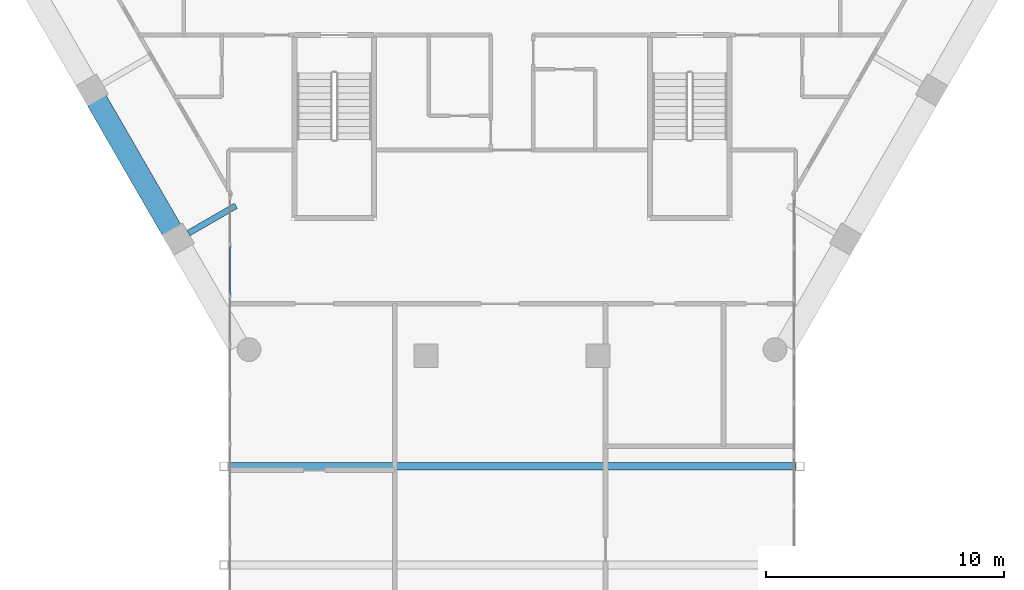
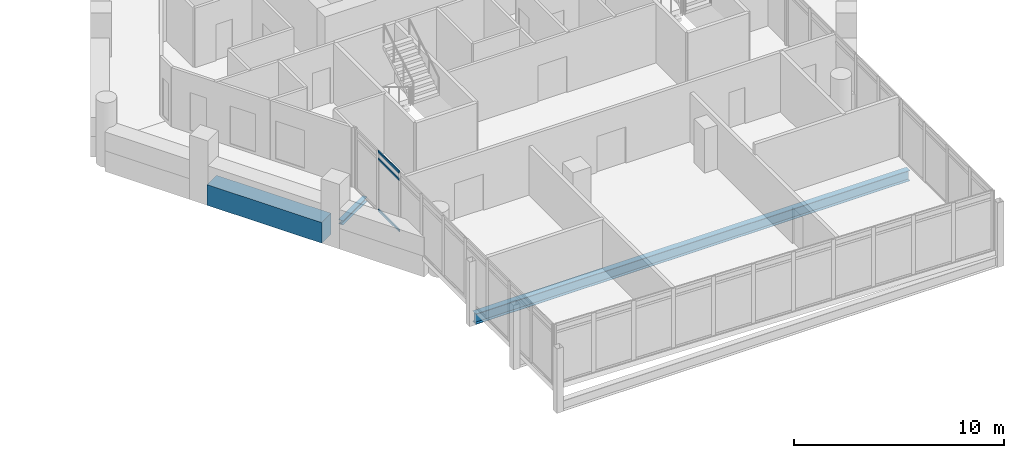
# One storey, part 8 of 29: 3 beams, 3 members, 1 element without a shape of its own.
"""IFC4 building model written with IfcOpenShell, lengths in metres."""

from ifc_helpers import new_model, si_unit, direction, frame, origin, origin_2d, place, context, subcontext, project, spatial, rectangle, hollow_rectangle, i_section, extrude, material, material_profile, profile_set, type_object, element, aggregate, save


model = new_model("IFC4")

# Units and contexts
model_context = context("Model", 3, precision=1e-05, world=origin(), true_north=direction((0.0, 1.0)))
body_context = subcontext(model_context, "Body", "Model", "MODEL_VIEW")
ifc_project = project(units=[si_unit("LENGTHUNIT", "METRE"), si_unit("AREAUNIT", "SQUARE_METRE"), si_unit("VOLUMEUNIT", "CUBIC_METRE"), si_unit("PLANEANGLEUNIT", "RADIAN"), si_unit("MASSUNIT", "GRAM", prefix="KILO")], contexts=[model_context])

# Site, building, storey
site_placement = place(None, origin())
site = spatial("IfcSite", under=ifc_project, at=site_placement, CompositionType="ELEMENT")
building_placement = place(site_placement, origin())
building = spatial("IfcBuilding", under=site, at=building_placement, Name="Ostrander Bayou Hotel Tower", CompositionType="ELEMENT")
storey_placement = place(building_placement, frame((0.0, 0.0, 202.0)))
storey = spatial("IfcBuildingStorey", under=building, at=storey_placement, Name="L50", CompositionType="ELEMENT", Elevation=202.0)

# Curtain wall, members
ifc_material_1 = material(Name="Aluminium and clear glass", Category="aluminium")
curtain_wall_type = type_object("IfcCurtainWallType", Name="CW-BAR glazed wall", PredefinedType="NOTDEFINED", material=ifc_material_1)
curtain_wall_placement = place(storey_placement, origin())
curtain_wall = element("IfcCurtainWall", 1, at=curtain_wall_placement, inside=storey, type_object=curtain_wall_type, Name="CW-BAR L50:SB4S:E", PredefinedType="NOTDEFINED")
ifc_material_2 = material(Name="Aluminium", Category="aluminium")
ifc_material_profile_1 = material_profile(ifc_material_2, hollow_rectangle(XDim=0.06005859375, YDim=0.1298828125, WallThickness=0.00390625, at=origin_2d()))
ifc_profile_set_1 = profile_set([ifc_material_profile_1], Name="Aluminium")
member_type = type_object("IfcMemberType", Name="CW-BR transom 60 x 130 mm", PredefinedType="USERDEFINED", material=ifc_profile_set_1)
member_1_placement = place(storey_placement, frame((-11.857177734375, -12.58056640625, 0.030029296875), z_axis=(0.0, -1.0, 0.0), x_axis=(1.0, 0.0, 0.0)))
member_1 = element("IfcMember", 2, at=member_1_placement, type_object=member_type, Name="CW-BAR transom 2.1", ObjectType="TRANSOM", PredefinedType="USERDEFINED", context=body_context, shape_type="SweptSolid", body=[
    extrude(hollow_rectangle(XDim=0.06005859375, YDim=0.1298828125, WallThickness=0.00390625, at=origin_2d()), origin(), (0.0, 0.0, 1.0), 2.027587890625),
])
member_2_placement = place(storey_placement, frame((-11.857177734375, -12.58056640625, 3.0), z_axis=(0.0, -1.0, 0.0), x_axis=(1.0, 0.0, 0.0)))
member_2 = element("IfcMember", 3, at=member_2_placement, type_object=member_type, Name="CW-BAR transom 2.2", ObjectType="TRANSOM", PredefinedType="USERDEFINED", context=body_context, shape_type="SweptSolid", body=[
    extrude(hollow_rectangle(XDim=0.06005859375, YDim=0.1298828125, WallThickness=0.00390625, at=origin_2d()), origin(), (0.0, 0.0, 1.0), 2.027587890625),
])
member_3_placement = place(storey_placement, frame((-11.857177734375, -12.58056640625, 3.419921875), z_axis=(0.0, -1.0, 0.0), x_axis=(1.0, 0.0, 0.0)))
member_3 = element("IfcMember", 4, at=member_3_placement, type_object=member_type, Name="CW-BAR transom 2.3", ObjectType="TRANSOM", PredefinedType="USERDEFINED", context=body_context, shape_type="SweptSolid", body=[
    extrude(hollow_rectangle(XDim=0.06005859375, YDim=0.1298828125, WallThickness=0.00390625, at=origin_2d()), origin(), (0.0, 0.0, 1.0), 2.027587890625),
])
aggregate(curtain_wall, [member_1, member_2, member_3])

# Beams
ifc_material_3 = material(Name="Steel ASTM A992", Category="steel")
ifc_material_profile_2 = material_profile(ifc_material_3, i_section(OverallWidth=0.25390625, OverallDepth=0.25341796875, WebThickness=0.008544921875, FlangeThickness=0.01416015625, at=origin_2d()))
ifc_profile_set_2 = profile_set([ifc_material_profile_2], Name="Steel ASTM A992")
beam_type_1 = type_object("IfcBeamType", Name="LB2 loggia bracket W10x49", PredefinedType="BEAM", material=ifc_profile_set_2)
beam_1_placement = place(storey_placement, frame((-13.606201171875, -12.033203125, -0.4267578125), z_axis=(0.86602648383, 0.499998129301, 0.0), x_axis=(-0.499998129301, 0.86602648383, 0.0)))
element("IfcBeam", 5, at=beam_1_placement, inside=storey, type_object=beam_type_1, Name="LB2 L50 SW2", PredefinedType="BEAM", context=body_context, shape_type="SweptSolid", body=[
    extrude(i_section(OverallWidth=0.25390625, OverallDepth=0.25341796875, WebThickness=0.008544921875, FlangeThickness=0.01416015625, at=origin_2d()), origin(), (0.0, 0.0, 1.0), 2.2998046875),
])
ifc_material_4 = material(Name="Concrete f'c 60 MPa", Category="concrete")
ifc_material_profile_3 = material_profile(ifc_material_4, rectangle(XDim=0.89990234375, YDim=1.199951171875, at=origin_2d()))
ifc_profile_set_3 = profile_set([ifc_material_profile_3], Name="Concrete f'c 60 MPa")
beam_type_2 = type_object("IfcBeamType", Name="SP3 spandrel beam 900 x 1200 mm f'c 60 MPa", PredefinedType="SPANDREL", material=ifc_profile_set_3)
beam_2_placement = place(storey_placement, frame((-17.465576171875, -6.44873046875, -0.60009765625), z_axis=(0.500013351051, -0.866017695414, 0.0), x_axis=(0.866017695414, 0.500013351051, 0.0)))
element("IfcBeam", 6, at=beam_2_placement, inside=storey, type_object=beam_type_2, Name="SP3 L50 SW-2", PredefinedType="SPANDREL", context=body_context, shape_type="SweptSolid", body=[
    extrude(rectangle(XDim=0.89990234375, YDim=1.199951171875, at=origin_2d()), origin(), (0.0, 0.0, 1.0), 6.296142578125),
])
ifc_material_5 = material(Name="Steel ASTM A992", Category="steel")
ifc_material_profile_4 = material_profile(ifc_material_5, i_section(OverallWidth=0.32373046875, OverallDepth=0.611083984375, WebThickness=0.0126953125, FlangeThickness=0.01904296875, at=origin_2d()))
ifc_profile_set_4 = profile_set([ifc_material_profile_4], Name="Steel ASTM A992")
beam_type_3 = type_object("IfcBeamType", Name="TF2 bar floor beam W24x104", PredefinedType="BEAM", material=ifc_profile_set_4)
beam_3_placement = place(storey_placement, frame((-11.93212890625, -21.840576171875, -0.605712890625), z_axis=(1.0, 0.0, 0.0), x_axis=(0.0, 1.0, 0.0)))
element("IfcBeam", 7, at=beam_3_placement, inside=storey, type_object=beam_type_3, Name="TF2 SB4S L3-1", PredefinedType="BEAM", context=body_context, shape_type="SweptSolid", body=[
    extrude(i_section(OverallWidth=0.32373046875, OverallDepth=0.611083984375, WebThickness=0.0126953125, FlangeThickness=0.01904296875, at=origin_2d()), origin(), (0.0, 0.0, 1.0), 23.8642578125),
])

save(model, "model.ifc")
